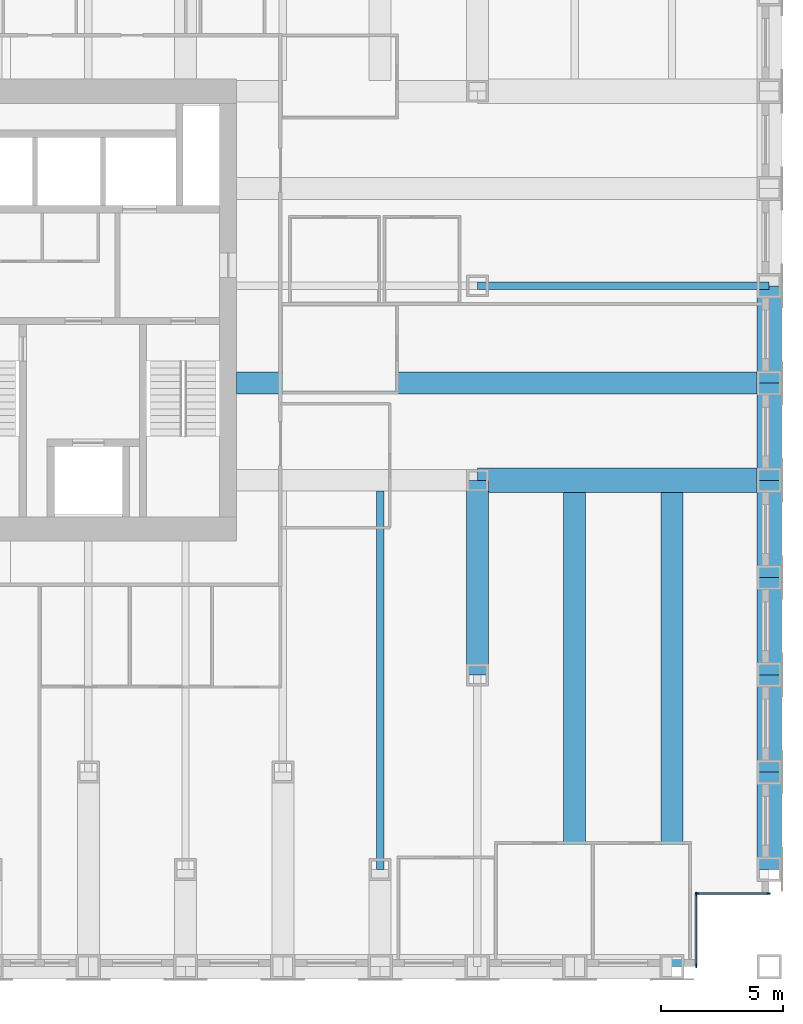
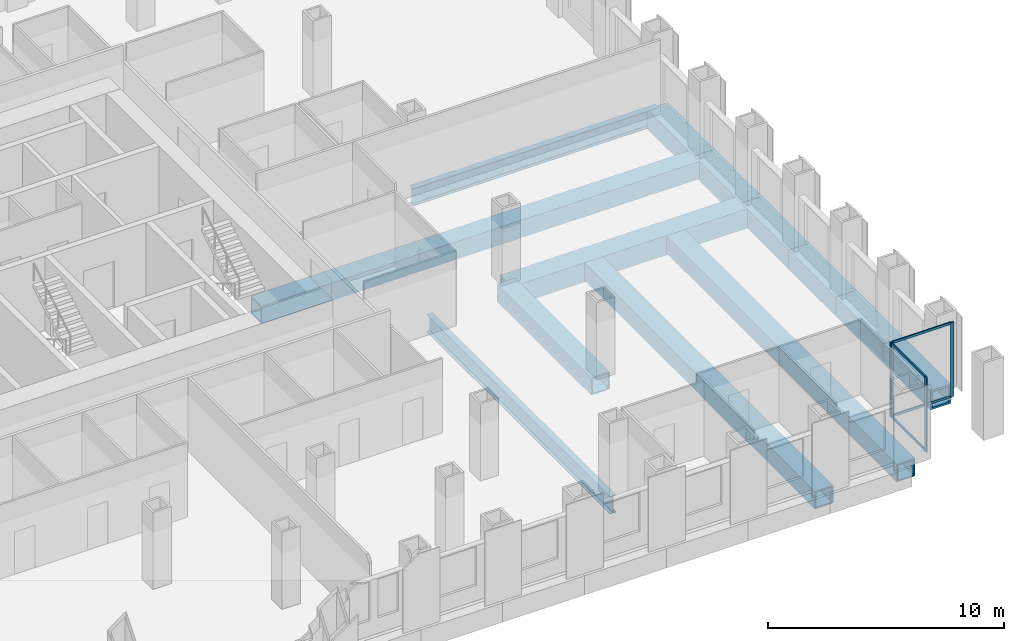
# One storey, part 4 of 16: 13 beams, 8 members, 2 elements without a shape of their own.
"""IFC4 building model written with IfcOpenShell, lengths in metres."""

from ifc_helpers import new_model, si_unit, direction, frame, origin, origin_2d, place, context, subcontext, project, spatial, rectangle, hollow_rectangle, i_section, extrude, material, material_profile, profile_set, type_object, element, aggregate, save


model = new_model("IFC4")

# Units and contexts
model_context = context("Model", 3, precision=1e-05, world=origin(), true_north=direction((0.0, 1.0)))
body_context = subcontext(model_context, "Body", "Model", "MODEL_VIEW")
ifc_project = project(units=[si_unit("LENGTHUNIT", "METRE"), si_unit("AREAUNIT", "SQUARE_METRE"), si_unit("VOLUMEUNIT", "CUBIC_METRE"), si_unit("PLANEANGLEUNIT", "RADIAN"), si_unit("MASSUNIT", "GRAM", prefix="KILO")], contexts=[model_context])

# Site, building, storey
site_placement = place(None, origin())
site = spatial("IfcSite", under=ifc_project, at=site_placement, CompositionType="ELEMENT")
building_placement = place(site_placement, origin())
building = spatial("IfcBuilding", under=site, at=building_placement, Name="Rimbunsela Tower", CompositionType="ELEMENT")
storey_placement = place(building_placement, frame((0.0, 0.0, 97.39990234375)))
storey = spatial("IfcBuildingStorey", under=building, at=storey_placement, Name="L23", CompositionType="ELEMENT", Elevation=97.39990234375)

# Beams
ifc_material_1 = material(Name="Steel BJ 55 (fy 410 MPa)", Category="steel")
ifc_material_profile_1 = material_profile(ifc_material_1, hollow_rectangle(XDim=1.0, YDim=1.0, WallThickness=0.10009765625, at=origin_2d()), Name="BOX 1000x1000x100")
ifc_profile_set_1 = profile_set([ifc_material_profile_1], Name="Steel BJ 55 (fy 410 MPa)")
beam_type_1 = type_object("IfcBeamType", Name="Beam BOX 1000x1000x100", PredefinedType="BEAM", material=ifc_profile_set_1)
beam_1_placement = place(storey_placement, frame((46.0, 20.0, -0.64990234375), z_axis=(1.0, 0.0, 0.0), x_axis=(0.0, 1.0, 0.0)))
element("IfcBeam", 1, at=beam_1_placement, inside=storey, type_object=beam_type_1, Name="Beam B3 L23", PredefinedType="BEAM", context=body_context, shape_type="SweptSolid", body=[
    extrude(hollow_rectangle(XDim=1.0, YDim=1.0, WallThickness=0.10009765625, at=origin_2d()), origin(), (0.0, 0.0, 1.0), 12.0),
])
for number, where, z_axis, x_axis, name in (
    (2, (58.0, 4.0, -0.64990234375), (0.0, 1.0, 0.0), (-1.0, 0.0, 0.0), "Beam B3 L23"),
    (3, (58.0, 8.0, -0.64990234375), (0.0, 1.0, 0.0), (-1.0, 0.0, 0.0), "Beam B3 L23"),
    (4, (58.0, 12.0, -0.64990234375), (0.0, 1.0, 0.0), (-1.0, 0.0, 0.0), "Beam B3 L23"),
    (5, (58.0, 16.0, -0.64990234375), (0.0, 1.0, 0.0), (-1.0, 0.0, 0.0), "Beam B3 L23"),
    (6, (58.0, 20.0, -0.64990234375), (0.0, 1.0, 0.0), (-1.0, 0.0, 0.0), "Beam B3 L23"),
    (7, (58.0, 24.0, -0.64990234375), (0.0, 1.0, 0.0), (-1.0, 0.0, 0.0), "Beam B3 L23"),
):
    element("IfcBeam", number, at=place(storey_placement, frame(where, z_axis=z_axis, x_axis=x_axis)), inside=storey, type_object=beam_type_1, Name=name, PredefinedType="BEAM", context=body_context, shape_type="SweptSolid", body=[
        extrude(hollow_rectangle(XDim=1.0, YDim=1.0, WallThickness=0.10009765625, at=origin_2d()), origin(), (0.0, 0.0, 1.0), 4.0),
    ])
ifc_material_2 = material(Name="Steel BJ 55 (fy 410 MPa)", Category="steel")
ifc_material_profile_2 = material_profile(ifc_material_2, hollow_rectangle(XDim=0.89990234375, YDim=0.89990234375, WallThickness=0.06005859375, at=origin_2d()), Name="BOX 900x900x60")
ifc_profile_set_2 = profile_set([ifc_material_profile_2], Name="Steel BJ 55 (fy 410 MPa)")
beam_type_2 = type_object("IfcBeamType", Name="Beam BOX 900x900x60", PredefinedType="BEAM", material=ifc_profile_set_2)
beam_2_placement = place(storey_placement, frame((36.10009765625, 24.0, -0.599853515625), z_axis=(1.0, 0.0, 0.0), x_axis=(0.0, 1.0, 0.0)))
element("IfcBeam", 8, at=beam_2_placement, inside=storey, type_object=beam_type_2, Name="Beam B1 L23", PredefinedType="BEAM", context=body_context, shape_type="SweptSolid", body=[
    extrude(hollow_rectangle(XDim=0.89990234375, YDim=0.89990234375, WallThickness=0.06005859375, at=origin_2d()), origin(), (0.0, 0.0, 1.0), 21.89990234375),
])
beam_3_placement = place(storey_placement, frame((46.0, 12.0, -0.599853515625), z_axis=(0.0, 1.0, 0.0), x_axis=(-1.0, 0.0, 0.0)))
element("IfcBeam", 9, at=beam_3_placement, inside=storey, type_object=beam_type_2, Name="Beam B1 L23", PredefinedType="BEAM", context=body_context, shape_type="SweptSolid", body=[
    extrude(hollow_rectangle(XDim=0.89990234375, YDim=0.89990234375, WallThickness=0.06005859375, at=origin_2d()), origin(), (0.0, 0.0, 1.0), 8.0),
])
for number, where, z_axis, x_axis, name in (
    (10, (50.0, 0.0, -0.599853515625), (0.0, 1.0, 0.0), (-1.0, 0.0, 0.0), "Beam B1 L23"),
    (11, (54.0, 0.0, -0.599853515625), (0.0, 1.0, 0.0), (-1.0, 0.0, 0.0), "Beam B1 L23"),
):
    element("IfcBeam", number, at=place(storey_placement, frame(where, z_axis=z_axis, x_axis=x_axis)), inside=storey, type_object=beam_type_2, Name=name, PredefinedType="BEAM", context=body_context, shape_type="SweptSolid", body=[
        extrude(hollow_rectangle(XDim=0.89990234375, YDim=0.89990234375, WallThickness=0.06005859375, at=origin_2d()), origin(), (0.0, 0.0, 1.0), 19.5),
    ])
ifc_material_3 = material(Name="Steel BJ 55 (fy 410 MPa)", Category="steel")
ifc_material_profile_3 = material_profile(ifc_material_3, i_section(OverallWidth=0.300048828125, OverallDepth=0.89990234375, WebThickness=0.01611328125, FlangeThickness=0.028076171875, FilletRadius=0.028076171875, at=origin_2d()), Name="H 900x300x16x28")
ifc_profile_set_3 = profile_set([ifc_material_profile_3], Name="Steel BJ 55 (fy 410 MPa)")
beam_type_3 = type_object("IfcBeamType", Name="Beam H 900x300x16x28", PredefinedType="BEAM", material=ifc_profile_set_3)
beam_4_placement = place(storey_placement, frame((42.0, 4.0, -0.599853515625), z_axis=(0.0, 1.0, 0.0), x_axis=(-1.0, 0.0, 0.0)))
element("IfcBeam", 12, at=beam_4_placement, inside=storey, type_object=beam_type_3, Name="Beam B2 L23", PredefinedType="BEAM", context=body_context, shape_type="SweptSolid", body=[
    extrude(i_section(OverallWidth=0.300048828125, OverallDepth=0.89990234375, WebThickness=0.01611328125, FlangeThickness=0.028076171875, FilletRadius=0.028076171875, at=origin_2d()), origin(), (0.0, 0.0, 1.0), 15.550048828125),
])
beam_5_placement = place(storey_placement, frame((46.0, 28.0, -0.599853515625), z_axis=(1.0, 0.0, 0.0), x_axis=(0.0, 1.0, 0.0)))
element("IfcBeam", 13, at=beam_5_placement, inside=storey, type_object=beam_type_3, Name="Beam B2 L23", PredefinedType="BEAM", context=body_context, shape_type="SweptSolid", body=[
    extrude(i_section(OverallWidth=0.300048828125, OverallDepth=0.89990234375, WebThickness=0.01611328125, FlangeThickness=0.028076171875, FilletRadius=0.028076171875, at=origin_2d()), origin(), (0.0, 0.0, 1.0), 12.0),
])

# Curtain wall, members
ifc_material_4 = material(Name="Aluminium curtain wall", Category="aluminium")
curtain_wall_type = type_object("IfcCurtainWallType", Name="Corner glazing", PredefinedType="USERDEFINED", material=ifc_material_4)
curtain_wall_1_placement = place(storey_placement, origin())
curtain_wall_1 = element("IfcCurtainWall", 14, at=curtain_wall_1_placement, inside=storey, type_object=curtain_wall_type, Name="Corner glazing L23", ObjectType="CORNER GLAZING", PredefinedType="USERDEFINED")
ifc_material_5 = material(Name="Aluminium mullion", Category="aluminium")
ifc_material_profile_4 = material_profile(ifc_material_5, rectangle(XDim=0.06005859375, YDim=0.159912109375, at=origin_2d()), Name="Mullion 60x160")
ifc_profile_set_4 = profile_set([ifc_material_profile_4], Name="Aluminium mullion")
member_type_1 = type_object("IfcMemberType", Name="Curtain wall mullion 60x160", PredefinedType="MULLION", material=ifc_profile_set_4)
member_1_placement = place(storey_placement, frame((55.0, 0.030029296875, 0.0), z_axis=(0.0, 0.0, 1.0), x_axis=(-1.0, 0.0, 0.0)))
member_1 = element("IfcMember", 15, at=member_1_placement, type_object=member_type_1, Name="CW5 mullion 1", PredefinedType="MULLION", context=body_context, shape_type="SweptSolid", body=[
    extrude(rectangle(XDim=0.06005859375, YDim=0.159912109375, at=origin_2d()), origin(), (0.0, 0.0, 1.0), 3.85009765625),
])
member_2_placement = place(storey_placement, frame((55.0, 2.969970703125, 0.0), z_axis=(0.0, 0.0, 1.0), x_axis=(-1.0, 0.0, 0.0)))
member_2 = element("IfcMember", 16, at=member_2_placement, type_object=member_type_1, Name="CW5 mullion 2", PredefinedType="MULLION", context=body_context, shape_type="SweptSolid", body=[
    extrude(rectangle(XDim=0.06005859375, YDim=0.159912109375, at=origin_2d()), origin(), (0.0, 0.0, 1.0), 3.85009765625),
])

curtain_wall_2_placement = place(storey_placement, origin())
curtain_wall_2 = element("IfcCurtainWall", 17, at=curtain_wall_2_placement, inside=storey, type_object=curtain_wall_type, Name="Corner glazing L23", ObjectType="CORNER GLAZING", PredefinedType="USERDEFINED")
member_3_placement = place(storey_placement, frame((55.030029296875, 3.0, 0.0), z_axis=(0.0, 0.0, 1.0), x_axis=(0.0, 1.0, 0.0)))
member_3 = element("IfcMember", 18, at=member_3_placement, type_object=member_type_1, Name="CW5 mullion 1", PredefinedType="MULLION", context=body_context, shape_type="SweptSolid", body=[
    extrude(rectangle(XDim=0.06005859375, YDim=0.159912109375, at=origin_2d()), origin(), (0.0, 0.0, 1.0), 3.85009765625),
])
member_4_placement = place(storey_placement, frame((57.969970703125, 3.0, 0.0), z_axis=(0.0, 0.0, 1.0), x_axis=(0.0, 1.0, 0.0)))
member_4 = element("IfcMember", 19, at=member_4_placement, type_object=member_type_1, Name="CW5 mullion 2", PredefinedType="MULLION", context=body_context, shape_type="SweptSolid", body=[
    extrude(rectangle(XDim=0.06005859375, YDim=0.159912109375, at=origin_2d()), origin(), (0.0, 0.0, 1.0), 3.85009765625),
])

# Member
ifc_material_6 = material(Name="Aluminium transom", Category="aluminium")
ifc_material_profile_5 = material_profile(ifc_material_6, rectangle(XDim=0.06005859375, YDim=0.1201171875, at=origin_2d()), Name="Transom 60x120")
ifc_profile_set_5 = profile_set([ifc_material_profile_5], Name="Aluminium transom")
member_type_2 = type_object("IfcMemberType", Name="Curtain wall transom 60x120", PredefinedType="USERDEFINED", material=ifc_profile_set_5)
member_5_placement = place(storey_placement, frame((55.0, 0.06005859375, 0.030029296875), z_axis=(0.0, 1.0, 0.0), x_axis=(-1.0, 0.0, 0.0)))
member_5 = element("IfcMember", 20, at=member_5_placement, type_object=member_type_2, Name="CW5 transom 1.1", ObjectType="TRANSOM", PredefinedType="USERDEFINED", context=body_context, shape_type="SweptSolid", body=[
    extrude(rectangle(XDim=0.06005859375, YDim=0.1201171875, at=origin_2d()), origin(), (0.0, 0.0, 1.0), 2.8798828125),
])

member_6_placement = place(storey_placement, frame((55.0, 0.06005859375, 3.820068359375), z_axis=(0.0, 1.0, 0.0), x_axis=(-1.0, 0.0, 0.0)))
member_6 = element("IfcMember", 21, at=member_6_placement, type_object=member_type_2, Name="CW5 transom 1.2", ObjectType="TRANSOM", PredefinedType="USERDEFINED", context=body_context, shape_type="SweptSolid", body=[
    extrude(rectangle(XDim=0.06005859375, YDim=0.1201171875, at=origin_2d()), origin(), (0.0, 0.0, 1.0), 2.8798828125),
])

aggregate(curtain_wall_1, [member_1, member_2, member_5, member_6])

member_7_placement = place(storey_placement, frame((55.06005859375, 3.0, 0.030029296875), z_axis=(1.0, 0.0, 0.0), x_axis=(0.0, 1.0, 0.0)))
member_7 = element("IfcMember", 22, at=member_7_placement, type_object=member_type_2, Name="CW5 transom 1.1", ObjectType="TRANSOM", PredefinedType="USERDEFINED", context=body_context, shape_type="SweptSolid", body=[
    extrude(rectangle(XDim=0.06005859375, YDim=0.1201171875, at=origin_2d()), origin(), (0.0, 0.0, 1.0), 2.8798828125),
])

member_8_placement = place(storey_placement, frame((55.06005859375, 3.0, 3.820068359375), z_axis=(1.0, 0.0, 0.0), x_axis=(0.0, 1.0, 0.0)))
member_8 = element("IfcMember", 23, at=member_8_placement, type_object=member_type_2, Name="CW5 transom 1.2", ObjectType="TRANSOM", PredefinedType="USERDEFINED", context=body_context, shape_type="SweptSolid", body=[
    extrude(rectangle(XDim=0.06005859375, YDim=0.1201171875, at=origin_2d()), origin(), (0.0, 0.0, 1.0), 2.8798828125),
])

aggregate(curtain_wall_2, [member_3, member_4, member_7, member_8])

save(model, "model.ifc")
